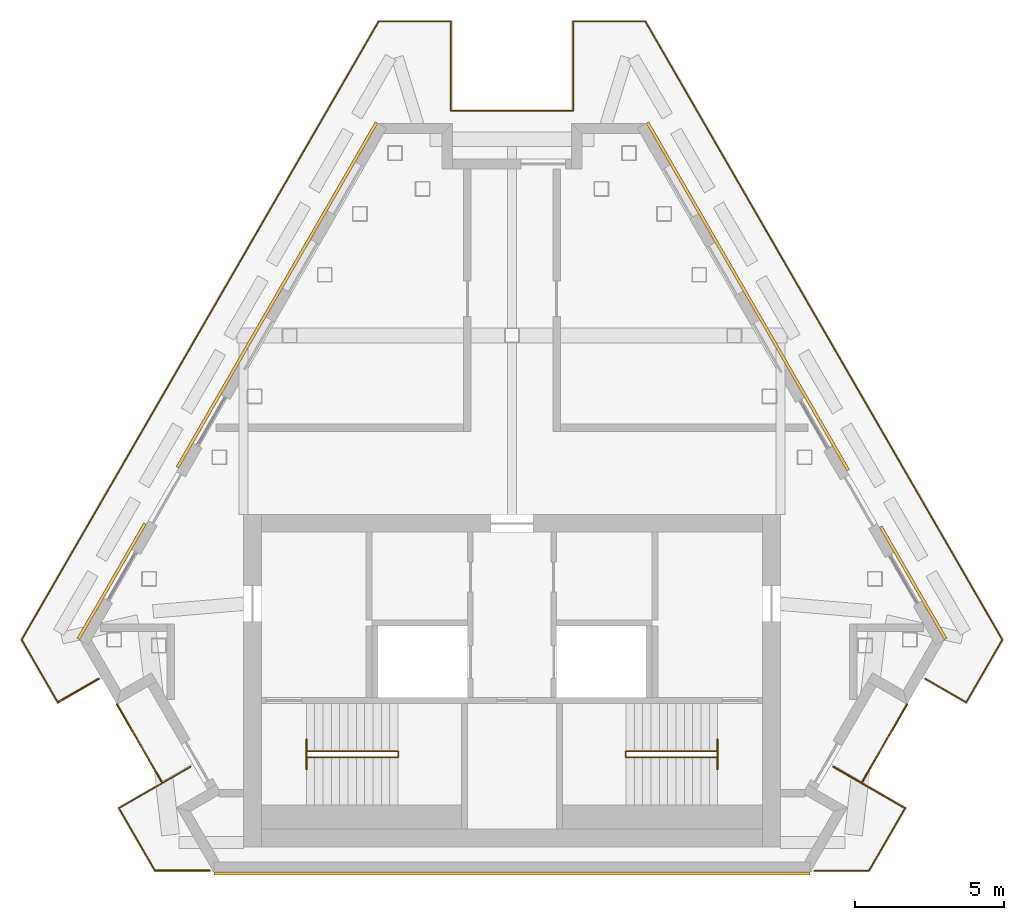
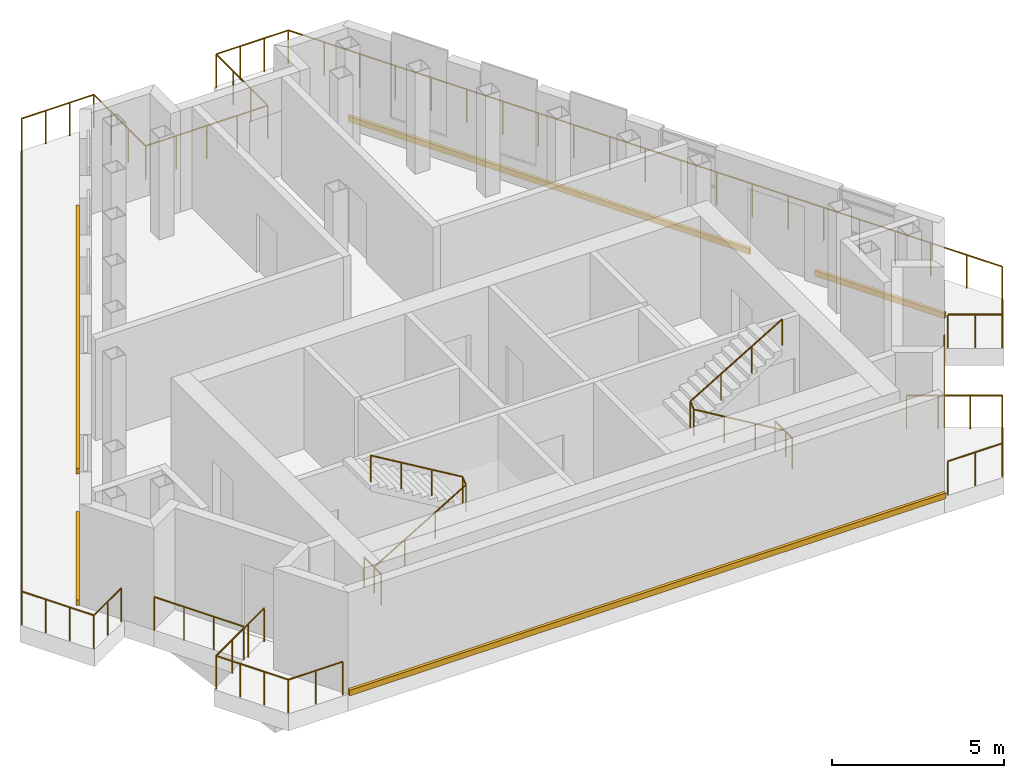
# One storey, part 7 of 7: 12 railings, 5 coverings.
"""IFC4 building model written with IfcOpenShell, lengths in metres."""

from ifc_helpers import new_model, si_unit, direction, frame, origin, origin_2d, place, context, subcontext, project, spatial, polyline, circle, outline, extrude, material, type_object, element, save


model = new_model("IFC4")

# Units and contexts
model_context = context("Model", 3, precision=1e-05, world=origin(), true_north=direction((0.0, 1.0)))
body_context = subcontext(model_context, "Body", "Model", "MODEL_VIEW")
ifc_project = project(units=[si_unit("LENGTHUNIT", "METRE"), si_unit("AREAUNIT", "SQUARE_METRE"), si_unit("VOLUMEUNIT", "CUBIC_METRE"), si_unit("PLANEANGLEUNIT", "RADIAN"), si_unit("MASSUNIT", "GRAM", prefix="KILO")], contexts=[model_context])

# Site, building, storey
site_placement = place(None, origin())
site = spatial("IfcSite", under=ifc_project, at=site_placement, CompositionType="ELEMENT")
building_placement = place(site_placement, origin())
building = spatial("IfcBuilding", under=site, at=building_placement, Name="Fogline Exchange Tower", CompositionType="ELEMENT")
storey_placement = place(building_placement, frame((0.0, 0.0, 359.60009765625)))
storey = spatial("IfcBuildingStorey", under=building, at=storey_placement, Name="L81", CompositionType="ELEMENT", Elevation=359.60009765625)

# Railings
ifc_material_1 = material(Name="Stainless steel 304", Category="steel")
railing_type_1 = type_object("IfcRailingType", Name="G1", PredefinedType="GUARDRAIL", material=ifc_material_1)
railing_1_placement = place(storey_placement, frame((-15.231689453125, 5.697509765625, 0.0)))
element("IfcRailing", 1, at=railing_1_placement, inside=storey, type_object=railing_type_1, Name="Guard L81 terrace", PredefinedType="GUARDRAIL", context=body_context, shape_type="SweptSolid", body=[
    extrude(circle(Radius=0.02392578125, at=origin_2d()), frame((0.0, 0.0, 1.17578125), z_axis=(-0.500054140411, 0.865994143547, 0.0), x_axis=(-0.865994143547, -0.500054140411, 0.0)), (0.0, 0.0, 1.0), 2.421142578125),
    extrude(circle(Radius=0.02392578125, at=origin_2d()), frame((-1.210693359375, 2.0966796875, 1.17578125), z_axis=(0.500001674771, 0.866024436853, 0.0), x_axis=(-0.866024436853, 0.500001674771, 0.0)), (0.0, 0.0, 1.0), 23.9423828125),
    extrude(circle(Radius=0.02392578125, at=origin_2d()), frame((10.760498046875, 22.831298828125, 1.17578125), z_axis=(1.0, 0.0, 0.0), x_axis=(0.0, 1.0, 0.0)), (0.0, 0.0, 1.0), 2.421142578125),
    extrude(circle(Radius=0.02392578125, at=origin_2d()), frame((13.181640625, 22.831298828125, 1.17578125), z_axis=(0.0, -1.0, 0.0), x_axis=(1.0, 0.0, 0.0)), (0.0, 0.0, 1.0), 3.0),
    extrude(circle(Radius=0.02392578125, at=origin_2d()), frame((13.181640625, 19.831298828125, 1.17578125), z_axis=(1.0, 0.0, 0.0), x_axis=(0.0, 1.0, 0.0)), (0.0, 0.0, 1.0), 4.10009765625),
    extrude(circle(Radius=0.02392578125, at=origin_2d()), frame((17.28173828125, 19.831298828125, 1.17578125), z_axis=(0.0, 1.0, 0.0), x_axis=(-1.0, 0.0, 0.0)), (0.0, 0.0, 1.0), 3.0),
    extrude(circle(Radius=0.02392578125, at=origin_2d()), frame((17.28173828125, 22.831298828125, 1.17578125), z_axis=(1.0, 0.0, 0.0), x_axis=(0.0, 1.0, 0.0)), (0.0, 0.0, 1.0), 2.421142578125),
    extrude(circle(Radius=0.02392578125, at=origin_2d()), frame((19.702880859375, 22.831298828125, 1.17578125), z_axis=(0.500001674771, -0.866024436853, 0.0), x_axis=(0.866024436853, 0.500001674771, 0.0)), (0.0, 0.0, 1.0), 23.9423828125),
    extrude(circle(Radius=0.02392578125, at=origin_2d()), frame((31.674072265625, 2.0966796875, 1.17578125), z_axis=(-0.500054140411, -0.865994143547, 0.0), x_axis=(0.865994143547, -0.500054140411, 0.0)), (0.0, 0.0, 1.0), 2.421142578125),
    extrude(circle(Radius=0.02392578125, at=origin_2d()), frame((30.46337890625, 0.0, 1.17578125), z_axis=(-0.866031398331, 0.499989616998, 0.0), x_axis=(-0.499989616998, -0.866031398331, 0.0)), (0.0, 0.0, 1.0), 1.58203125),
    extrude(circle(Radius=0.02099609375, at=origin_2d()), origin(), (0.0, 0.0, 1.0), 1.15185546875),
    extrude(circle(Radius=0.02099609375, at=origin_2d()), frame((-0.403564453125, 0.698974609375, 0.0)), (0.0, 0.0, 1.0), 1.15185546875),
    extrude(circle(Radius=0.02099609375, at=origin_2d()), frame((-0.80712890625, 1.397705078125, 0.0)), (0.0, 0.0, 1.0), 1.15185546875),
    extrude(circle(Radius=0.02099609375, at=origin_2d()), frame((-1.210693359375, 2.0966796875, 0.0)), (0.0, 0.0, 1.0), 1.15185546875),
    extrude(circle(Radius=0.02099609375, at=origin_2d()), frame((-0.612060546875, 3.13330078125, 0.0)), (0.0, 0.0, 1.0), 1.15185546875),
    extrude(circle(Radius=0.02099609375, at=origin_2d()), frame((-0.013671875, 4.170166015625, 0.0)), (0.0, 0.0, 1.0), 1.15185546875),
    extrude(circle(Radius=0.02099609375, at=origin_2d()), frame((0.5849609375, 5.206787109375, 0.0)), (0.0, 0.0, 1.0), 1.15185546875),
    extrude(circle(Radius=0.02099609375, at=origin_2d()), frame((1.18359375, 6.24365234375, 0.0)), (0.0, 0.0, 1.0), 1.15185546875),
    extrude(circle(Radius=0.02099609375, at=origin_2d()), frame((1.7822265625, 7.2802734375, 0.0)), (0.0, 0.0, 1.0), 1.15185546875),
    extrude(circle(Radius=0.02099609375, at=origin_2d()), frame((2.380615234375, 8.317138671875, 0.0)), (0.0, 0.0, 1.0), 1.15185546875),
    extrude(circle(Radius=0.02099609375, at=origin_2d()), frame((2.979248046875, 9.353759765625, 0.0)), (0.0, 0.0, 1.0), 1.15185546875),
    extrude(circle(Radius=0.02099609375, at=origin_2d()), frame((3.577880859375, 10.390625, 0.0)), (0.0, 0.0, 1.0), 1.15185546875),
    extrude(circle(Radius=0.02099609375, at=origin_2d()), frame((4.17626953125, 11.42724609375, 0.0)), (0.0, 0.0, 1.0), 1.15185546875),
    extrude(circle(Radius=0.02099609375, at=origin_2d()), frame((4.77490234375, 12.4638671875, 0.0)), (0.0, 0.0, 1.0), 1.15185546875),
    extrude(circle(Radius=0.02099609375, at=origin_2d()), frame((5.37353515625, 13.500732421875, 0.0)), (0.0, 0.0, 1.0), 1.15185546875),
    extrude(circle(Radius=0.02099609375, at=origin_2d()), frame((5.971923828125, 14.537353515625, 0.0)), (0.0, 0.0, 1.0), 1.15185546875),
    extrude(circle(Radius=0.02099609375, at=origin_2d()), frame((6.570556640625, 15.57421875, 0.0)), (0.0, 0.0, 1.0), 1.15185546875),
    extrude(circle(Radius=0.02099609375, at=origin_2d()), frame((7.169189453125, 16.61083984375, 0.0)), (0.0, 0.0, 1.0), 1.15185546875),
    extrude(circle(Radius=0.02099609375, at=origin_2d()), frame((7.767578125, 17.647705078125, 0.0)), (0.0, 0.0, 1.0), 1.15185546875),
    extrude(circle(Radius=0.02099609375, at=origin_2d()), frame((8.3662109375, 18.684326171875, 0.0)), (0.0, 0.0, 1.0), 1.15185546875),
    extrude(circle(Radius=0.02099609375, at=origin_2d()), frame((8.96484375, 19.72119140625, 0.0)), (0.0, 0.0, 1.0), 1.15185546875),
    extrude(circle(Radius=0.02099609375, at=origin_2d()), frame((9.5634765625, 20.7578125, 0.0)), (0.0, 0.0, 1.0), 1.15185546875),
    extrude(circle(Radius=0.02099609375, at=origin_2d()), frame((10.161865234375, 21.794677734375, 0.0)), (0.0, 0.0, 1.0), 1.15185546875),
    extrude(circle(Radius=0.02099609375, at=origin_2d()), frame((10.760498046875, 22.831298828125, 0.0)), (0.0, 0.0, 1.0), 1.15185546875),
    extrude(circle(Radius=0.02099609375, at=origin_2d()), frame((11.567626953125, 22.831298828125, 0.0)), (0.0, 0.0, 1.0), 1.15185546875),
    extrude(circle(Radius=0.02099609375, at=origin_2d()), frame((12.37451171875, 22.831298828125, 0.0)), (0.0, 0.0, 1.0), 1.15185546875),
    extrude(circle(Radius=0.02099609375, at=origin_2d()), frame((13.181640625, 22.831298828125, 0.0)), (0.0, 0.0, 1.0), 1.15185546875),
    extrude(circle(Radius=0.02099609375, at=origin_2d()), frame((13.181640625, 21.831298828125, 0.0)), (0.0, 0.0, 1.0), 1.15185546875),
    extrude(circle(Radius=0.02099609375, at=origin_2d()), frame((13.181640625, 20.831298828125, 0.0)), (0.0, 0.0, 1.0), 1.15185546875),
    extrude(circle(Radius=0.02099609375, at=origin_2d()), frame((13.181640625, 19.831298828125, 0.0)), (0.0, 0.0, 1.0), 1.15185546875),
    extrude(circle(Radius=0.02099609375, at=origin_2d()), frame((14.20654296875, 19.831298828125, 0.0)), (0.0, 0.0, 1.0), 1.15185546875),
    extrude(circle(Radius=0.02099609375, at=origin_2d()), frame((15.231689453125, 19.831298828125, 0.0)), (0.0, 0.0, 1.0), 1.15185546875),
    extrude(circle(Radius=0.02099609375, at=origin_2d()), frame((16.2568359375, 19.831298828125, 0.0)), (0.0, 0.0, 1.0), 1.15185546875),
    extrude(circle(Radius=0.02099609375, at=origin_2d()), frame((17.28173828125, 19.831298828125, 0.0)), (0.0, 0.0, 1.0), 1.15185546875),
    extrude(circle(Radius=0.02099609375, at=origin_2d()), frame((17.28173828125, 20.831298828125, 0.0)), (0.0, 0.0, 1.0), 1.15185546875),
    extrude(circle(Radius=0.02099609375, at=origin_2d()), frame((17.28173828125, 21.831298828125, 0.0)), (0.0, 0.0, 1.0), 1.15185546875),
    extrude(circle(Radius=0.02099609375, at=origin_2d()), frame((17.28173828125, 22.831298828125, 0.0)), (0.0, 0.0, 1.0), 1.15185546875),
    extrude(circle(Radius=0.02099609375, at=origin_2d()), frame((18.0888671875, 22.831298828125, 0.0)), (0.0, 0.0, 1.0), 1.15185546875),
    extrude(circle(Radius=0.02099609375, at=origin_2d()), frame((18.895751953125, 22.831298828125, 0.0)), (0.0, 0.0, 1.0), 1.15185546875),
    extrude(circle(Radius=0.02099609375, at=origin_2d()), frame((19.702880859375, 22.831298828125, 0.0)), (0.0, 0.0, 1.0), 1.15185546875),
    extrude(circle(Radius=0.02099609375, at=origin_2d()), frame((20.301513671875, 21.794677734375, 0.0)), (0.0, 0.0, 1.0), 1.15185546875),
    extrude(circle(Radius=0.02099609375, at=origin_2d()), frame((20.89990234375, 20.7578125, 0.0)), (0.0, 0.0, 1.0), 1.15185546875),
    extrude(circle(Radius=0.02099609375, at=origin_2d()), frame((21.49853515625, 19.72119140625, 0.0)), (0.0, 0.0, 1.0), 1.15185546875),
    extrude(circle(Radius=0.02099609375, at=origin_2d()), frame((22.09716796875, 18.684326171875, 0.0)), (0.0, 0.0, 1.0), 1.15185546875),
    extrude(circle(Radius=0.02099609375, at=origin_2d()), frame((22.69580078125, 17.647705078125, 0.0)), (0.0, 0.0, 1.0), 1.15185546875),
    extrude(circle(Radius=0.02099609375, at=origin_2d()), frame((23.294189453125, 16.61083984375, 0.0)), (0.0, 0.0, 1.0), 1.15185546875),
    extrude(circle(Radius=0.02099609375, at=origin_2d()), frame((23.892822265625, 15.57421875, 0.0)), (0.0, 0.0, 1.0), 1.15185546875),
    extrude(circle(Radius=0.02099609375, at=origin_2d()), frame((24.491455078125, 14.537353515625, 0.0)), (0.0, 0.0, 1.0), 1.15185546875),
    extrude(circle(Radius=0.02099609375, at=origin_2d()), frame((25.08984375, 13.500732421875, 0.0)), (0.0, 0.0, 1.0), 1.15185546875),
    extrude(circle(Radius=0.02099609375, at=origin_2d()), frame((25.6884765625, 12.4638671875, 0.0)), (0.0, 0.0, 1.0), 1.15185546875),
    extrude(circle(Radius=0.02099609375, at=origin_2d()), frame((26.287109375, 11.42724609375, 0.0)), (0.0, 0.0, 1.0), 1.15185546875),
    extrude(circle(Radius=0.02099609375, at=origin_2d()), frame((26.885498046875, 10.390625, 0.0)), (0.0, 0.0, 1.0), 1.15185546875),
    extrude(circle(Radius=0.02099609375, at=origin_2d()), frame((27.484130859375, 9.353759765625, 0.0)), (0.0, 0.0, 1.0), 1.15185546875),
    extrude(circle(Radius=0.02099609375, at=origin_2d()), frame((28.082763671875, 8.317138671875, 0.0)), (0.0, 0.0, 1.0), 1.15185546875),
    extrude(circle(Radius=0.02099609375, at=origin_2d()), frame((28.68115234375, 7.2802734375, 0.0)), (0.0, 0.0, 1.0), 1.15185546875),
    extrude(circle(Radius=0.02099609375, at=origin_2d()), frame((29.27978515625, 6.24365234375, 0.0)), (0.0, 0.0, 1.0), 1.15185546875),
    extrude(circle(Radius=0.02099609375, at=origin_2d()), frame((29.87841796875, 5.206787109375, 0.0)), (0.0, 0.0, 1.0), 1.15185546875),
    extrude(circle(Radius=0.02099609375, at=origin_2d()), frame((30.47705078125, 4.170166015625, 0.0)), (0.0, 0.0, 1.0), 1.15185546875),
    extrude(circle(Radius=0.02099609375, at=origin_2d()), frame((31.075439453125, 3.13330078125, 0.0)), (0.0, 0.0, 1.0), 1.15185546875),
    extrude(circle(Radius=0.02099609375, at=origin_2d()), frame((31.674072265625, 2.0966796875, 0.0)), (0.0, 0.0, 1.0), 1.15185546875),
    extrude(circle(Radius=0.02099609375, at=origin_2d()), frame((31.2705078125, 1.397705078125, 0.0)), (0.0, 0.0, 1.0), 1.15185546875),
    extrude(circle(Radius=0.02099609375, at=origin_2d()), frame((30.866943359375, 0.698974609375, 0.0)), (0.0, 0.0, 1.0), 1.15185546875),
    extrude(circle(Radius=0.02099609375, at=origin_2d()), frame((30.46337890625, 0.0, 0.0)), (0.0, 0.0, 1.0), 1.15185546875),
    extrude(circle(Radius=0.02099609375, at=origin_2d()), frame((29.7783203125, 0.3955078125, 0.0)), (0.0, 0.0, 1.0), 1.15185546875),
    extrude(circle(Radius=0.02099609375, at=origin_2d()), frame((29.09326171875, 0.791015625, 0.0)), (0.0, 0.0, 1.0), 1.15185546875),
])
railing_2_placement = place(storey_placement, frame((-13.861572265625, 6.488525390625, 0.0)))
element("IfcRailing", 2, at=railing_2_placement, inside=storey, type_object=railing_type_1, Name="Guard L81 terrace", PredefinedType="GUARDRAIL", context=body_context, shape_type="SweptSolid", body=[
    extrude(circle(Radius=0.02392578125, at=origin_2d()), frame((0.0, 0.0, 1.17578125), z_axis=(-0.866031398331, -0.499989616998, 0.0), x_axis=(0.499989616998, -0.866031398331, 0.0)), (0.0, 0.0, 1.0), 1.58203125),
    extrude(circle(Radius=0.02099609375, at=origin_2d()), origin(), (0.0, 0.0, 1.0), 1.15185546875),
    extrude(circle(Radius=0.02099609375, at=origin_2d()), frame((-0.68505859375, -0.3955078125, 0.0)), (0.0, 0.0, 1.0), 1.15185546875),
    extrude(circle(Radius=0.02099609375, at=origin_2d()), frame((-1.3701171875, -0.791015625, 0.0)), (0.0, 0.0, 1.0), 1.15185546875),
])
railing_3_placement = place(storey_placement, frame((-11.97119140625, 0.050048828125, 0.0)))
element("IfcRailing", 3, at=railing_3_placement, inside=storey, type_object=railing_type_1, Name="Guard L81 terrace", PredefinedType="GUARDRAIL", context=body_context, shape_type="SweptSolid", body=[
    extrude(circle(Radius=0.02392578125, at=origin_2d()), frame((0.0, 0.0, 1.17578125), z_axis=(-0.499978511878, 0.866037809602, 0.0), x_axis=(-0.866037809602, -0.499978511878, 0.0)), (0.0, 0.0, 1.0), 2.4208984375),
    extrude(circle(Radius=0.02392578125, at=origin_2d()), frame((-1.21044921875, 2.0966796875, 1.17578125), z_axis=(0.865998515562, 0.500046568876, 0.0), x_axis=(-0.500046568876, 0.865998515562, 0.0)), (0.0, 0.0, 1.0), 2.781982421875),
    extrude(circle(Radius=0.02099609375, at=origin_2d()), origin(), (0.0, 0.0, 1.0), 1.15185546875),
    extrude(circle(Radius=0.02099609375, at=origin_2d()), frame((-0.403564453125, 0.698974609375, 0.0)), (0.0, 0.0, 1.0), 1.15185546875),
    extrude(circle(Radius=0.02099609375, at=origin_2d()), frame((-0.806884765625, 1.397705078125, 0.0)), (0.0, 0.0, 1.0), 1.15185546875),
    extrude(circle(Radius=0.02099609375, at=origin_2d()), frame((-1.21044921875, 2.0966796875, 0.0)), (0.0, 0.0, 1.0), 1.15185546875),
    extrude(circle(Radius=0.02099609375, at=origin_2d()), frame((-0.407470703125, 2.560302734375, 0.0)), (0.0, 0.0, 1.0), 1.15185546875),
    extrude(circle(Radius=0.02099609375, at=origin_2d()), frame((0.395751953125, 3.024169921875, 0.0)), (0.0, 0.0, 1.0), 1.15185546875),
    extrude(circle(Radius=0.02099609375, at=origin_2d()), frame((1.19873046875, 3.48779296875, 0.0)), (0.0, 0.0, 1.0), 1.15185546875),
])
railing_4_placement = place(storey_placement, frame((-10.144287109375, 0.050048828125, 0.0)))
element("IfcRailing", 4, at=railing_4_placement, inside=storey, type_object=railing_type_1, Name="Guard L81 terrace", PredefinedType="GUARDRAIL", context=body_context, shape_type="SweptSolid", body=[
    extrude(circle(Radius=0.02392578125, at=origin_2d()), frame((0.0, 0.0, 1.17578125), z_axis=(-1.0, 0.0, 0.0), x_axis=(0.0, -1.0, 0.0)), (0.0, 0.0, 1.0), 1.826904296875),
    extrude(circle(Radius=0.02099609375, at=origin_2d()), origin(), (0.0, 0.0, 1.0), 1.15185546875),
    extrude(circle(Radius=0.02099609375, at=origin_2d()), frame((-0.91357421875, 0.0, 0.0)), (0.0, 0.0, 1.0), 1.15185546875),
    extrude(circle(Radius=0.02099609375, at=origin_2d()), frame((-1.826904296875, 0.0, 0.0)), (0.0, 0.0, 1.0), 1.15185546875),
])
railing_5_placement = place(storey_placement, frame((13.181640625, 2.146728515625, 0.0)))
element("IfcRailing", 5, at=railing_5_placement, inside=storey, type_object=railing_type_1, Name="Guard L81 terrace", PredefinedType="GUARDRAIL", context=body_context, shape_type="SweptSolid", body=[
    extrude(circle(Radius=0.02392578125, at=origin_2d()), frame((0.0, 0.0, 1.17578125), z_axis=(-0.499978511878, -0.866037809602, 0.0), x_axis=(0.866037809602, -0.499978511878, 0.0)), (0.0, 0.0, 1.0), 2.4208984375),
    extrude(circle(Radius=0.02392578125, at=origin_2d()), frame((-1.21044921875, -2.0966796875, 1.17578125), z_axis=(-1.0, 0.0, 0.0), x_axis=(0.0, -1.0, 0.0)), (0.0, 0.0, 1.0), 1.826904296875),
    extrude(circle(Radius=0.02099609375, at=origin_2d()), origin(), (0.0, 0.0, 1.0), 1.15185546875),
    extrude(circle(Radius=0.02099609375, at=origin_2d()), frame((-0.403564453125, -0.698974609375, 0.0)), (0.0, 0.0, 1.0), 1.15185546875),
    extrude(circle(Radius=0.02099609375, at=origin_2d()), frame((-0.806884765625, -1.397705078125, 0.0)), (0.0, 0.0, 1.0), 1.15185546875),
    extrude(circle(Radius=0.02099609375, at=origin_2d()), frame((-1.21044921875, -2.0966796875, 0.0)), (0.0, 0.0, 1.0), 1.15185546875),
    extrude(circle(Radius=0.02099609375, at=origin_2d()), frame((-2.1240234375, -2.0966796875, 0.0)), (0.0, 0.0, 1.0), 1.15185546875),
    extrude(circle(Radius=0.02099609375, at=origin_2d()), frame((-3.037353515625, -2.0966796875, 0.0)), (0.0, 0.0, 1.0), 1.15185546875),
])
railing_6_placement = place(storey_placement, frame((10.7724609375, 3.537841796875, 0.0)))
element("IfcRailing", 6, at=railing_6_placement, inside=storey, type_object=railing_type_1, Name="Guard L81 terrace", PredefinedType="GUARDRAIL", context=body_context, shape_type="SweptSolid", body=[
    extrude(circle(Radius=0.02392578125, at=origin_2d()), frame((0.0, 0.0, 1.17578125), z_axis=(0.865998515562, -0.500046568876, 0.0), x_axis=(0.500046568876, 0.865998515562, 0.0)), (0.0, 0.0, 1.0), 2.781982421875),
    extrude(circle(Radius=0.02099609375, at=origin_2d()), origin(), (0.0, 0.0, 1.0), 1.15185546875),
    extrude(circle(Radius=0.02099609375, at=origin_2d()), frame((0.802978515625, -0.463623046875, 0.0)), (0.0, 0.0, 1.0), 1.15185546875),
    extrude(circle(Radius=0.02099609375, at=origin_2d()), frame((1.606201171875, -0.927490234375, 0.0)), (0.0, 0.0, 1.0), 1.15185546875),
    extrude(circle(Radius=0.02099609375, at=origin_2d()), frame((2.4091796875, -1.39111328125, 0.0)), (0.0, 0.0, 1.0), 1.15185546875),
])
railing_7_placement = place(storey_placement, frame((-13.25, 5.629150390625, 0.0)))
element("IfcRailing", 7, at=railing_7_placement, inside=storey, type_object=railing_type_1, Name="Guard L81 terrace", PredefinedType="GUARDRAIL", context=body_context, shape_type="SweptSolid", body=[
    extrude(circle(Radius=0.02392578125, at=origin_2d()), frame((0.0, 0.0, 1.17578125), z_axis=(0.499990139034, -0.866031096941, 0.0), x_axis=(0.866031096941, 0.499990139034, 0.0)), (0.0, 0.0, 1.0), 3.0),
    extrude(circle(Radius=0.02099609375, at=origin_2d()), origin(), (0.0, 0.0, 1.0), 1.15185546875),
    extrude(circle(Radius=0.02099609375, at=origin_2d()), frame((0.5, -0.865966796875, 0.0)), (0.0, 0.0, 1.0), 1.15185546875),
    extrude(circle(Radius=0.02099609375, at=origin_2d()), frame((1.0, -1.732177734375, 0.0)), (0.0, 0.0, 1.0), 1.15185546875),
    extrude(circle(Radius=0.02099609375, at=origin_2d()), frame((1.5, -2.59814453125, 0.0)), (0.0, 0.0, 1.0), 1.15185546875),
])
railing_8_placement = place(storey_placement, frame((11.75, 3.031005859375, 0.0)))
element("IfcRailing", 8, at=railing_8_placement, inside=storey, type_object=railing_type_1, Name="Guard L81 terrace", PredefinedType="GUARDRAIL", context=body_context, shape_type="SweptSolid", body=[
    extrude(circle(Radius=0.02392578125, at=origin_2d()), frame((0.0, 0.0, 1.17578125), z_axis=(0.499990139034, 0.866031096941, 0.0), x_axis=(-0.866031096941, 0.499990139034, 0.0)), (0.0, 0.0, 1.0), 3.0),
    extrude(circle(Radius=0.02099609375, at=origin_2d()), origin(), (0.0, 0.0, 1.0), 1.15185546875),
    extrude(circle(Radius=0.02099609375, at=origin_2d()), frame((0.5, 0.865966796875, 0.0)), (0.0, 0.0, 1.0), 1.15185546875),
    extrude(circle(Radius=0.02099609375, at=origin_2d()), frame((1.0, 1.732177734375, 0.0)), (0.0, 0.0, 1.0), 1.15185546875),
    extrude(circle(Radius=0.02099609375, at=origin_2d()), frame((1.5, 2.59814453125, 0.0)), (0.0, 0.0, 1.0), 1.15185546875),
])
ifc_material_2 = material(Name="Steel Q235B", Category="steel")
railing_type_2 = type_object("IfcRailingType", Name="RL-GD", PredefinedType="GUARDRAIL", material=ifc_material_2)
for number, where, name in (
    (9, (-6.889892578125, 3.449951171875, 0.0), "Guard at well"),
    (10, (6.889892578125, 3.449951171875, 0.0), "Guard at well"),
):
    element("IfcRailing", number, at=place(storey_placement, frame(where)), inside=storey, type_object=railing_type_2, Name=name, PredefinedType="GUARDRAIL", context=body_context, shape_type="SweptSolid", body=[
        extrude(circle(Radius=0.02392578125, at=origin_2d()), frame((0.0, 0.0, 1.076171875), z_axis=(0.0, 1.0, 0.0), x_axis=(-1.0, 0.0, 0.0)), (0.0, 0.0, 1.0), 1.0),
        extrude(circle(Radius=0.02099609375, at=origin_2d()), origin(), (0.0, 0.0, 1.0), 1.052001953125),
        extrude(circle(Radius=0.02099609375, at=origin_2d()), frame((0.0, 1.0, 0.0)), (0.0, 0.0, 1.0), 1.052001953125),
    ])
railing_type_3 = type_object("IfcRailingType", Name="RL-HR", PredefinedType="HANDRAIL", material=ifc_material_2)
railing_9_placement = place(storey_placement, frame((-6.89990234375, 3.85009765625, 0.16650390625)))
element("IfcRailing", 11, at=railing_9_placement, inside=storey, type_object=railing_type_3, Name="Handrail CS1", PredefinedType="HANDRAIL", context=body_context, shape_type="SweptSolid", body=[
    extrude(circle(Radius=0.02392578125, at=origin_2d()), frame((0.0, 0.0, 0.92578125), z_axis=(0.859260807169, 0.0, 0.511537745687), x_axis=(0.0, 1.0, 0.0)), (0.0, 0.0, 1.0), 3.584228515625),
    extrude(circle(Radius=0.02392578125, at=origin_2d()), frame((3.079833984375, 0.0, 2.75927734375), z_axis=(0.0, 0.768451954486, 0.639907488351), x_axis=(-1.0, 0.0, 0.0)), (0.0, 0.0, 1.0), 0.26025390625),
    extrude(circle(Radius=0.02392578125, at=origin_2d()), frame((3.079833984375, 0.199951171875, 2.92578125), z_axis=(-0.859260807169, 0.0, 0.511537745687), x_axis=(0.0, -1.0, 0.0)), (0.0, 0.0, 1.0), 3.584228515625),
    extrude(circle(Radius=0.02099609375, at=origin_2d()), origin(), (0.0, 0.0, 1.0), 0.90185546875),
    extrude(circle(Radius=0.02099609375, at=origin_2d()), frame((1.026611328125, 0.0, 0.611083984375)), (0.0, 0.0, 1.0), 0.90185546875),
    extrude(circle(Radius=0.02099609375, at=origin_2d()), frame((2.05322265625, 0.0, 1.222412109375)), (0.0, 0.0, 1.0), 0.90185546875),
    extrude(circle(Radius=0.02099609375, at=origin_2d()), frame((3.079833984375, 0.0, 1.83349609375)), (0.0, 0.0, 1.0), 0.90185546875),
    extrude(circle(Radius=0.02099609375, at=origin_2d()), frame((3.079833984375, 0.199951171875, 2.0)), (0.0, 0.0, 1.0), 0.90185546875),
    extrude(circle(Radius=0.02099609375, at=origin_2d()), frame((2.05322265625, 0.199951171875, 2.611083984375)), (0.0, 0.0, 1.0), 0.90185546875),
    extrude(circle(Radius=0.02099609375, at=origin_2d()), frame((1.026611328125, 0.199951171875, 3.222412109375)), (0.0, 0.0, 1.0), 0.90185546875),
    extrude(circle(Radius=0.02099609375, at=origin_2d()), frame((0.0, 0.199951171875, 3.83349609375)), (0.0, 0.0, 1.0), 0.90185546875),
])
railing_10_placement = place(storey_placement, frame((6.89990234375, 3.85009765625, 0.16650390625)))
element("IfcRailing", 12, at=railing_10_placement, inside=storey, type_object=railing_type_3, Name="Handrail CS2", PredefinedType="HANDRAIL", context=body_context, shape_type="SweptSolid", body=[
    extrude(circle(Radius=0.02392578125, at=origin_2d()), frame((0.0, 0.0, 0.92578125), z_axis=(-0.859260807169, 0.0, 0.511537745687), x_axis=(0.0, -1.0, 0.0)), (0.0, 0.0, 1.0), 3.584228515625),
    extrude(circle(Radius=0.02392578125, at=origin_2d()), frame((-3.079833984375, 0.0, 2.75927734375), z_axis=(0.0, 0.768451954486, 0.639907488351), x_axis=(-1.0, 0.0, 0.0)), (0.0, 0.0, 1.0), 0.26025390625),
    extrude(circle(Radius=0.02392578125, at=origin_2d()), frame((-3.079833984375, 0.199951171875, 2.92578125), z_axis=(0.859260807169, 0.0, 0.511537745687), x_axis=(0.0, 1.0, 0.0)), (0.0, 0.0, 1.0), 3.584228515625),
    extrude(circle(Radius=0.02099609375, at=origin_2d()), origin(), (0.0, 0.0, 1.0), 0.90185546875),
    extrude(circle(Radius=0.02099609375, at=origin_2d()), frame((-1.026611328125, 0.0, 0.611083984375)), (0.0, 0.0, 1.0), 0.90185546875),
    extrude(circle(Radius=0.02099609375, at=origin_2d()), frame((-2.05322265625, 0.0, 1.222412109375)), (0.0, 0.0, 1.0), 0.90185546875),
    extrude(circle(Radius=0.02099609375, at=origin_2d()), frame((-3.079833984375, 0.0, 1.83349609375)), (0.0, 0.0, 1.0), 0.90185546875),
    extrude(circle(Radius=0.02099609375, at=origin_2d()), frame((-3.079833984375, 0.199951171875, 2.0)), (0.0, 0.0, 1.0), 0.90185546875),
    extrude(circle(Radius=0.02099609375, at=origin_2d()), frame((-2.05322265625, 0.199951171875, 2.611083984375)), (0.0, 0.0, 1.0), 0.90185546875),
    extrude(circle(Radius=0.02099609375, at=origin_2d()), frame((-1.026611328125, 0.199951171875, 3.222412109375)), (0.0, 0.0, 1.0), 0.90185546875),
    extrude(circle(Radius=0.02099609375, at=origin_2d()), frame((0.0, 0.199951171875, 3.83349609375)), (0.0, 0.0, 1.0), 0.90185546875),
])

# Coverings
ifc_material_3 = material(Name="Brick masonry", Category="masonry")
covering_type = type_object("IfcCoveringType", Name="SB1", PredefinedType="CLADDING", material=ifc_material_3)
covering_1_placement = place(storey_placement, origin())
element("IfcCovering", 13, at=covering_1_placement, inside=storey, type_object=covering_type, Name="Stringcourse band L81 S", PredefinedType="CLADDING", context=body_context, shape_type="SweptSolid", body=[
    extrude(outline(polyline([(-10.0, 0.0), (-10.0, -0.10009765625), (10.0, -0.10009765625), (10.0, 0.0), (-10.0, 0.0)])), origin(), (0.0, 0.0, 1.0), 0.199951171875),
])
covering_2_placement = place(storey_placement, origin())
element("IfcCovering", 14, at=covering_2_placement, inside=storey, type_object=covering_type, Name="Stringcourse band L81 E", PredefinedType="CLADDING", context=body_context, shape_type="SweptSolid", body=[
    extrude(outline(polyline([(14.5, 7.794189453125), (14.586669921875, 7.84423828125), (12.41162109375, 11.611328125), (12.324951171875, 11.561279296875), (14.5, 7.794189453125)])), origin(), (0.0, 0.0, 1.0), 0.199951171875),
])
covering_3_placement = place(storey_placement, origin())
element("IfcCovering", 15, at=covering_3_placement, inside=storey, type_object=covering_type, Name="Stringcourse band L81 E", PredefinedType="CLADDING", context=body_context, shape_type="SweptSolid", body=[
    extrude(outline(polyline([(11.232421875, 13.45361328125), (11.319091796875, 13.503662109375), (4.586669921875, 25.164794921875), (4.5, 25.11474609375), (11.232421875, 13.45361328125)])), origin(), (0.0, 0.0, 1.0), 0.199951171875),
])
covering_4_placement = place(storey_placement, origin())
element("IfcCovering", 16, at=covering_4_placement, inside=storey, type_object=covering_type, Name="Stringcourse band L81 W", PredefinedType="CLADDING", context=body_context, shape_type="SweptSolid", body=[
    extrude(outline(polyline([(-4.5, 25.11474609375), (-4.586669921875, 25.164794921875), (-11.26171875, 13.603271484375), (-11.175048828125, 13.55322265625), (-4.5, 25.11474609375)])), origin(), (0.0, 0.0, 1.0), 0.199951171875),
])
covering_5_placement = place(storey_placement, origin())
element("IfcCovering", 17, at=covering_5_placement, inside=storey, type_object=covering_type, Name="Stringcourse band L81 W", PredefinedType="CLADDING", context=body_context, shape_type="SweptSolid", body=[
    extrude(outline(polyline([(-12.267578125, 11.660888671875), (-12.35400390625, 11.7109375), (-14.586669921875, 7.84423828125), (-14.5, 7.794189453125), (-12.267578125, 11.660888671875)])), origin(), (0.0, 0.0, 1.0), 0.199951171875),
])

save(model, "model.ifc")
